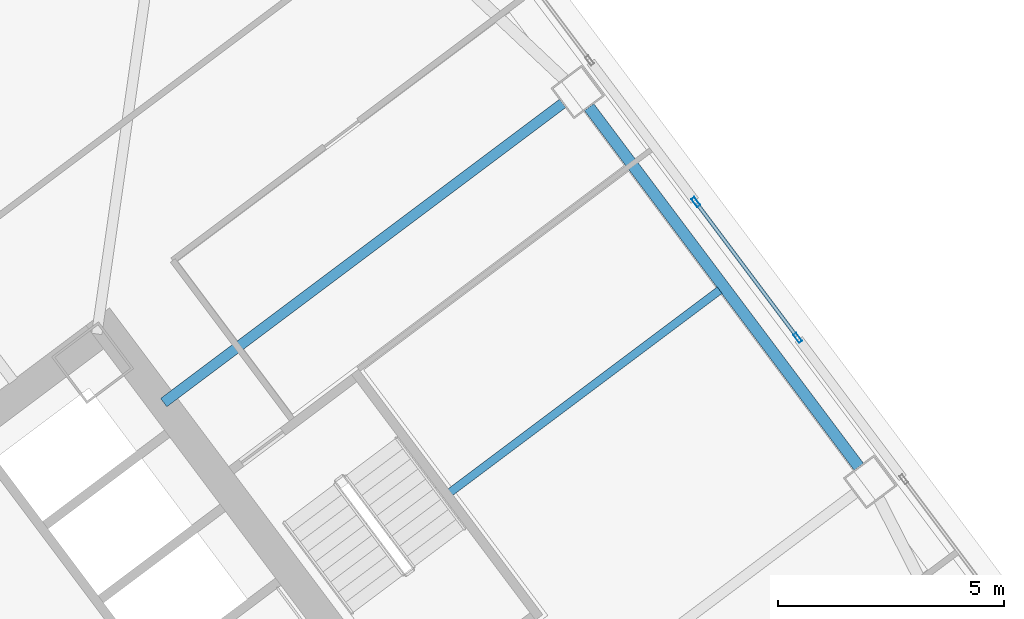
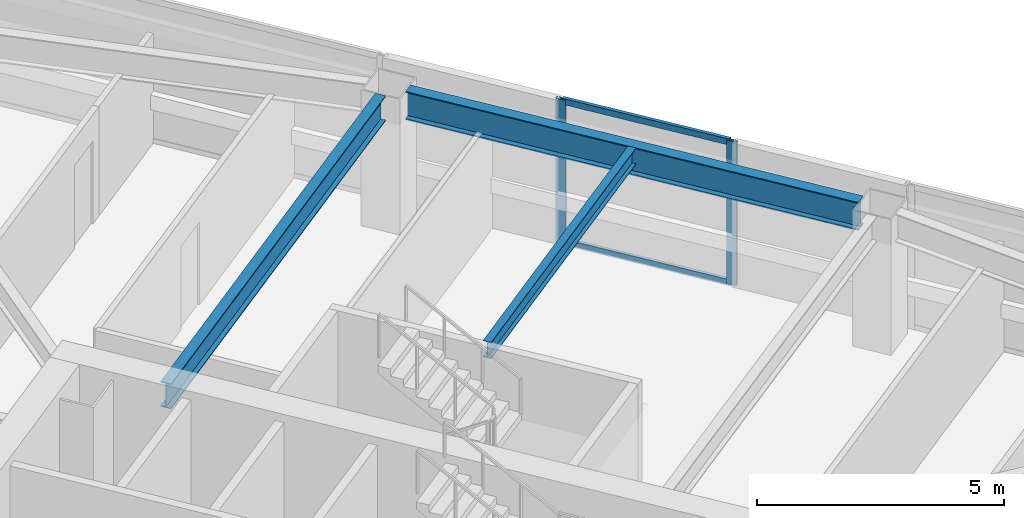
# One storey, part 30 of 46: 4 members, 3 beams, 1 element without a shape of its own.
"""IFC4 building model written with IfcOpenShell, lengths in metres."""

from ifc_helpers import new_model, si_unit, direction, frame, origin, origin_2d, place, context, subcontext, project, spatial, hollow_rectangle, i_section, extrude, material, material_profile, profile_set, type_object, element, aggregate, save


model = new_model("IFC4")

# Units and contexts
model_context = context("Model", 3, precision=1e-05, world=origin(), true_north=direction((0.0, 1.0)))
body_context = subcontext(model_context, "Body", "Model", "MODEL_VIEW")
ifc_project = project(units=[si_unit("LENGTHUNIT", "METRE"), si_unit("AREAUNIT", "SQUARE_METRE"), si_unit("VOLUMEUNIT", "CUBIC_METRE"), si_unit("PLANEANGLEUNIT", "RADIAN"), si_unit("MASSUNIT", "GRAM", prefix="KILO")], contexts=[model_context])

# Site, building, storey
site_placement = place(None, origin())
site = spatial("IfcSite", under=ifc_project, at=site_placement, CompositionType="ELEMENT")
building_placement = place(site_placement, origin())
building = spatial("IfcBuilding", under=site, at=building_placement, Name="Tashvorn Skyway Center", CompositionType="ELEMENT")
storey_placement = place(building_placement, frame((0.0, 0.0, 99.14990234375)))
storey = spatial("IfcBuildingStorey", under=building, at=storey_placement, Name="L26", CompositionType="ELEMENT", Elevation=99.14990234375)

# Beams
ifc_material_1 = material(Name="Steel ASTM A992 Grade 50", Category="steel")
ifc_material_profile_1 = material_profile(ifc_material_1, i_section(OverallWidth=0.22998046875, OverallDepth=0.616943359375, WebThickness=0.01318359375, FlangeThickness=0.022216796875, at=origin_2d()), Name="W24X94")
ifc_profile_set_1 = profile_set([ifc_material_profile_1], Name="Steel ASTM A992 Grade 50")
beam_type_1 = type_object("IfcBeamType", Name="BM-BEAM-W24X94", PredefinedType="BEAM", material=ifc_profile_set_1)
beam_1_placement = place(storey_placement, frame((125.823974609375, 47.617919921875, 3.04150390625), z_axis=(-0.800007953832, -0.599989394744, 0.0), x_axis=(0.599989394744, -0.800007953832, 0.0)))
element("IfcBeam", 1, at=beam_1_placement, inside=storey, type_object=beam_type_1, Name="Tower 2 L26 Primary Floor Girder FC-E2", PredefinedType="BEAM", context=body_context, shape_type="SweptSolid", body=[
    extrude(i_section(OverallWidth=0.22998046875, OverallDepth=0.616943359375, WebThickness=0.01318359375, FlangeThickness=0.022216796875, at=origin_2d()), origin(), (0.0, 0.0, 1.0), 11.050048828125),
])
ifc_material_profile_2 = material_profile(ifc_material_1, i_section(OverallWidth=0.177978515625, OverallDepth=0.406005859375, WebThickness=0.0078125, FlangeThickness=0.0126953125, at=origin_2d()), Name="W16X40")
ifc_profile_set_2 = profile_set([ifc_material_profile_2], Name="Steel ASTM A992 Grade 50")
beam_type_2 = type_object("IfcBeamType", Name="BM-JOIST-W16X40", PredefinedType="JOIST", material=ifc_profile_set_2)
beam_2_placement = place(storey_placement, frame((123.3359375, 39.001953125, 3.147216796875), z_axis=(0.799996072819, 0.600005236206, 0.0), x_axis=(-0.600005236206, 0.799996072819, 0.0)))
element("IfcBeam", 2, at=beam_2_placement, inside=storey, type_object=beam_type_2, Name="Tower 2 L26 Secondary Composite Joist JE", PredefinedType="JOIST", context=body_context, shape_type="SweptSolid", body=[
    extrude(i_section(OverallWidth=0.177978515625, OverallDepth=0.406005859375, WebThickness=0.0078125, FlangeThickness=0.0126953125, at=origin_2d()), origin(), (0.0, 0.0, 1.0), 7.4599609375),
])
ifc_material_profile_3 = material_profile(ifc_material_1, i_section(OverallWidth=0.256103515625, OverallDepth=0.693115234375, WebThickness=0.014404296875, FlangeThickness=0.023681640625, at=origin_2d()), Name="W27X114")
ifc_profile_set_3 = profile_set([ifc_material_profile_3], Name="Steel ASTM A992 Grade 50")
beam_type_3 = type_object("IfcBeamType", Name="BM-SPANDREL-W27X114", PredefinedType="SPANDREL", material=ifc_profile_set_3)
beam_3_placement = place(storey_placement, frame((132.387939453125, 39.56591796875, 3.003662109375), z_axis=(-0.599988234018, 0.800008824351, 0.0), x_axis=(-0.800008824351, -0.599988234018, 0.0)))
element("IfcBeam", 3, at=beam_3_placement, inside=storey, type_object=beam_type_3, Name="Tower 2 L26 Spandrel Beam 05", PredefinedType="SPANDREL", context=body_context, shape_type="SweptSolid", body=[
    extrude(i_section(OverallWidth=0.256103515625, OverallDepth=0.693115234375, WebThickness=0.014404296875, FlangeThickness=0.023681640625, at=origin_2d()), origin(), (0.0, 0.0, 1.0), 9.9599609375),
])

# Curtain wall, members
ifc_material_2 = material(Name="Thermally broken bronze-anodized aluminium 6063-T6", Category="aluminium")
curtain_wall_type = type_object("IfcCurtainWallType", Name="CW-CW-Z2", PredefinedType="NOTDEFINED", material=ifc_material_2)
curtain_wall_placement = place(storey_placement, origin())
curtain_wall = element("IfcCurtainWall", 4, at=curtain_wall_placement, inside=storey, type_object=curtain_wall_type, Name="Tower 2 L26 East Unitised Curtain Wall Glazing Group 2", PredefinedType="NOTDEFINED")
ifc_material_profile_4 = material_profile(ifc_material_2, hollow_rectangle(XDim=0.080078125, YDim=0.219970703125, WallThickness=0.0048828125, at=origin_2d()), Name="ALU-MULL-80x220")
ifc_profile_set_4 = profile_set([ifc_material_profile_4], Name="Thermally broken bronze-anodized aluminium 6063-T6")
member_type_1 = type_object("IfcMemberType", Name="CWM-CW-Z2", PredefinedType="MULLION", material=ifc_profile_set_4)
member_1_placement = place(storey_placement, frame((128.77587890625, 45.431884765625, 0.0), z_axis=(0.0, 0.0, 1.0), x_axis=(0.799999999998, 0.600000000002, 0.0)))
member_1 = element("IfcMember", 5, at=member_1_placement, type_object=member_type_1, Name="CW-Z2 mullion 1", PredefinedType="MULLION", context=body_context, shape_type="SweptSolid", body=[
    extrude(hollow_rectangle(XDim=0.080078125, YDim=0.219970703125, WallThickness=0.0048828125, at=origin_2d()), origin(), (0.0, 0.0, 1.0), 3.550048828125),
])
member_2_placement = place(storey_placement, frame((131.031982421875, 42.424072265625, 0.0), z_axis=(0.0, 0.0, 1.0), x_axis=(0.799999999998, 0.600000000002, 0.0)))
member_2 = element("IfcMember", 6, at=member_2_placement, type_object=member_type_1, Name="CW-Z2 mullion 2", PredefinedType="MULLION", context=body_context, shape_type="SweptSolid", body=[
    extrude(hollow_rectangle(XDim=0.080078125, YDim=0.219970703125, WallThickness=0.0048828125, at=origin_2d()), origin(), (0.0, 0.0, 1.0), 3.550048828125),
])
ifc_material_profile_5 = material_profile(ifc_material_2, hollow_rectangle(XDim=0.080078125, YDim=0.14990234375, WallThickness=0.00439453125, at=origin_2d()), Name="ALU-TRAN-80x150")
ifc_profile_set_5 = profile_set([ifc_material_profile_5], Name="Thermally broken bronze-anodized aluminium 6063-T6")
member_type_2 = type_object("IfcMemberType", Name="CWT-CW-Z2", PredefinedType="USERDEFINED", material=ifc_profile_set_5)
member_3_placement = place(storey_placement, frame((128.800048828125, 45.39990234375, 0.0400390625), z_axis=(0.600021230084, -0.799984076997, 0.0), x_axis=(0.799984076997, 0.600021230084, 0.0)))
member_3 = element("IfcMember", 7, at=member_3_placement, type_object=member_type_2, Name="CW-Z2 transom 1.1", ObjectType="TRANSOM", PredefinedType="USERDEFINED", context=body_context, shape_type="SweptSolid", body=[
    extrude(hollow_rectangle(XDim=0.080078125, YDim=0.14990234375, WallThickness=0.00439453125, at=origin_2d()), origin(), (0.0, 0.0, 1.0), 3.679931640625),
])
member_4_placement = place(storey_placement, frame((128.800048828125, 45.39990234375, 3.510009765625), z_axis=(0.600021230084, -0.799984076997, 0.0), x_axis=(0.799984076997, 0.600021230084, 0.0)))
member_4 = element("IfcMember", 8, at=member_4_placement, type_object=member_type_2, Name="CW-Z2 transom 1.2", ObjectType="TRANSOM", PredefinedType="USERDEFINED", context=body_context, shape_type="SweptSolid", body=[
    extrude(hollow_rectangle(XDim=0.080078125, YDim=0.14990234375, WallThickness=0.00439453125, at=origin_2d()), origin(), (0.0, 0.0, 1.0), 3.679931640625),
])
aggregate(curtain_wall, [member_1, member_2, member_3, member_4])

save(model, "model.ifc")
